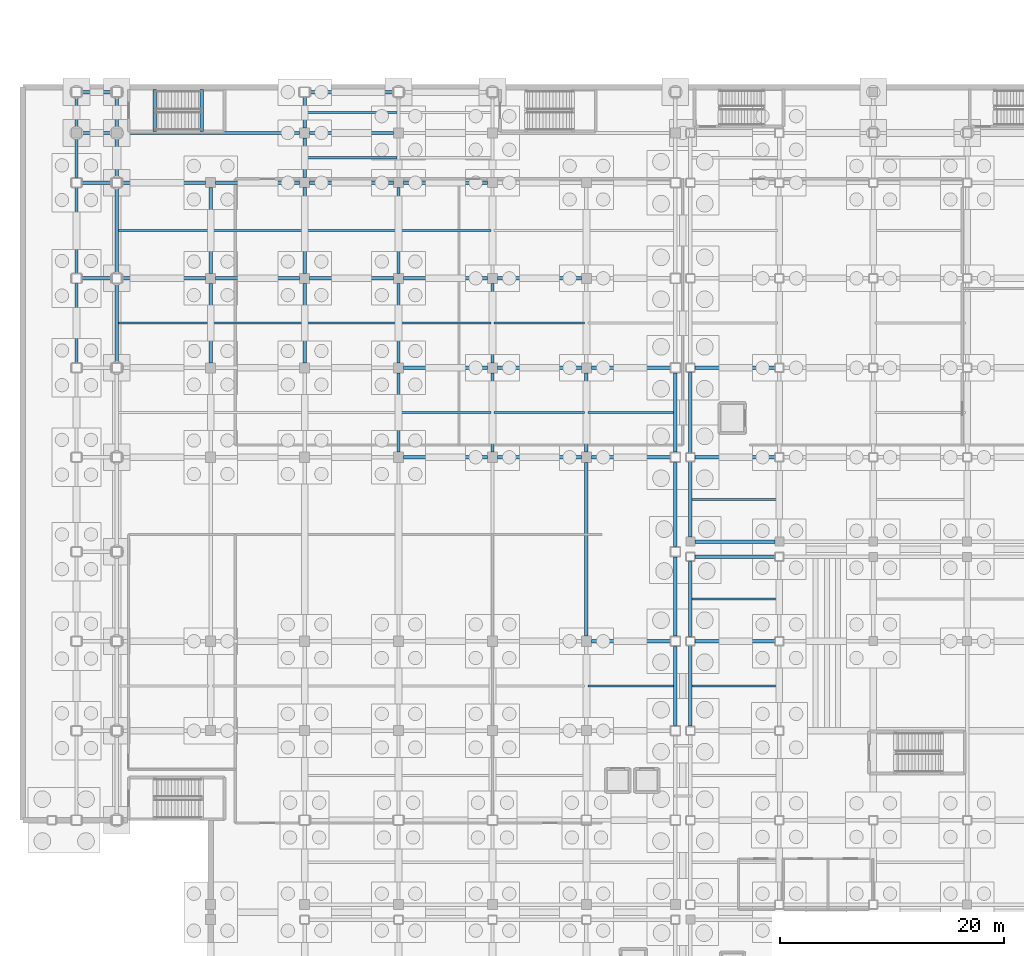
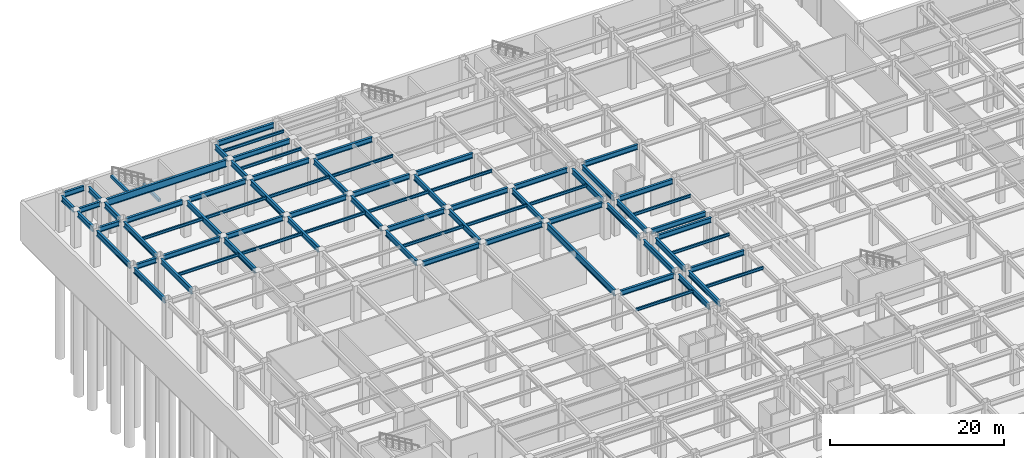
# One storey, part 25 of 55: 77 beams.
"""IFC4 building model written with IfcOpenShell, lengths in metres."""

from ifc_helpers import new_model, si_unit, direction, frame, origin, origin_2d, place, context, subcontext, project, spatial, rectangle, i_section, extrude, material, material_profile, profile_set, type_object, element, save


model = new_model("IFC4")

# Units and contexts
model_context = context("Model", 3, precision=1e-05, world=origin(), true_north=direction((0.0, 1.0)))
body_context = subcontext(model_context, "Body", "Model", "MODEL_VIEW")
ifc_project = project(units=[si_unit("LENGTHUNIT", "METRE"), si_unit("AREAUNIT", "SQUARE_METRE"), si_unit("VOLUMEUNIT", "CUBIC_METRE"), si_unit("PLANEANGLEUNIT", "RADIAN"), si_unit("MASSUNIT", "GRAM", prefix="KILO")], contexts=[model_context])

# Site, building, storey
site_placement = place(None, origin())
site = spatial("IfcSite", under=ifc_project, at=site_placement, CompositionType="ELEMENT")
building_placement = place(site_placement, origin())
building = spatial("IfcBuilding", under=site, at=building_placement, Name="Kazehara Bluff Congress Hotel", CompositionType="ELEMENT")
storey_placement = place(building_placement, frame((0.0, 0.0, -5.39990234375)))
storey = spatial("IfcBuildingStorey", under=building, at=storey_placement, Name="B1", CompositionType="ELEMENT", Elevation=-5.39990234375)

# Beams
ifc_material_1 = material(Name="Steel SN490B", Category="steel")
ifc_material_profile_1 = material_profile(ifc_material_1, i_section(OverallWidth=0.300048828125, OverallDepth=0.699951171875, WebThickness=0.012939453125, FlangeThickness=0.02392578125, FilletRadius=0.01806640625, at=origin_2d()))
ifc_profile_set_1 = profile_set([ifc_material_profile_1], Name="Steel SN490B")
beam_type_1 = type_object("IfcBeamType", Name="TP-G-04", PredefinedType="BEAM", material=ifc_profile_set_1)
beam_1_placement = place(storey_placement, frame((50.85009765625, 64.449951171875, 4.77001953125), z_axis=(1.0, 0.0, 0.0), x_axis=(0.0, 1.0, 0.0)))
element("IfcBeam", 1, at=beam_1_placement, inside=storey, type_object=beam_type_1, Name="B1 girder G-04 419", PredefinedType="BEAM", context=body_context, shape_type="SweptSolid", body=[
    extrude(i_section(OverallWidth=0.300048828125, OverallDepth=0.699951171875, WebThickness=0.012939453125, FlangeThickness=0.02392578125, FilletRadius=0.01806640625, at=origin_2d()), origin(), (0.0, 0.0, 1.0), 7.0498046875),
])
for number, where, z_axis, x_axis, name in (
    (2, (60.10009765625, 64.449951171875, 4.77001953125), (1.0, 0.0, 0.0), (0.0, 1.0, 0.0), "B1 girder G-04 420"),
    (3, (60.10009765625, 72.0, 4.77001953125), (1.0, 0.0, 0.0), (0.0, 1.0, 0.0), "B1 girder G-04 433"),
    (4, (60.10009765625, 73.35009765625, 4.77001953125), (1.0, 0.0, 0.0), (0.0, 1.0, 0.0), "B1 girder G-04 447"),
):
    element("IfcBeam", number, at=place(storey_placement, frame(where, z_axis=z_axis, x_axis=x_axis)), inside=storey, type_object=beam_type_1, Name=name, PredefinedType="BEAM", context=body_context, shape_type="SweptSolid", body=[
        extrude(i_section(OverallWidth=0.300048828125, OverallDepth=0.699951171875, WebThickness=0.012939453125, FlangeThickness=0.02392578125, FilletRadius=0.01806640625, at=origin_2d()), origin(), (0.0, 0.0, 1.0), 7.14990234375),
    ])
for number, where, z_axis, x_axis, name in (
    (5, (34.050048828125, 80.89990234375, 4.77001953125), (1.0, 0.0, 0.0), (0.0, 1.0, 0.0), "B1 girder G-04 462"),
    (6, (42.449951171875, 80.89990234375, 4.77001953125), (1.0, 0.0, 0.0), (0.0, 1.0, 0.0), "B1 girder G-04 463"),
):
    element("IfcBeam", number, at=place(storey_placement, frame(where, z_axis=z_axis, x_axis=x_axis)), inside=storey, type_object=beam_type_1, Name=name, PredefinedType="BEAM", context=body_context, shape_type="SweptSolid", body=[
        extrude(i_section(OverallWidth=0.300048828125, OverallDepth=0.699951171875, WebThickness=0.012939453125, FlangeThickness=0.02392578125, FilletRadius=0.01806640625, at=origin_2d()), origin(), (0.0, 0.0, 1.0), 7.5),
    ])
beam_2_placement = place(storey_placement, frame((50.85009765625, 80.89990234375, 4.77001953125), z_axis=(1.0, 0.0, 0.0), x_axis=(0.0, 1.0, 0.0)))
element("IfcBeam", 7, at=beam_2_placement, inside=storey, type_object=beam_type_1, Name="B1 girder G-04 464", PredefinedType="BEAM", context=body_context, shape_type="SweptSolid", body=[
    extrude(i_section(OverallWidth=0.300048828125, OverallDepth=0.699951171875, WebThickness=0.012939453125, FlangeThickness=0.02392578125, FilletRadius=0.01806640625, at=origin_2d()), origin(), (0.0, 0.0, 1.0), 7.0498046875),
])
beam_3_placement = place(storey_placement, frame((60.10009765625, 80.89990234375, 4.77001953125), z_axis=(1.0, 0.0, 0.0), x_axis=(0.0, 1.0, 0.0)))
element("IfcBeam", 8, at=beam_3_placement, inside=storey, type_object=beam_type_1, Name="B1 girder G-04 465", PredefinedType="BEAM", context=body_context, shape_type="SweptSolid", body=[
    extrude(i_section(OverallWidth=0.300048828125, OverallDepth=0.699951171875, WebThickness=0.012939453125, FlangeThickness=0.02392578125, FilletRadius=0.01806640625, at=origin_2d()), origin(), (0.0, 0.0, 1.0), 7.14990234375),
])
for number, where, z_axis, x_axis, name in (
    (9, (34.050048828125, 88.89990234375, 4.77001953125), (1.0, 0.0, 0.0), (0.0, 1.0, 0.0), "B1 girder G-04 482"),
    (10, (42.449951171875, 88.89990234375, 4.77001953125), (1.0, 0.0, 0.0), (0.0, 1.0, 0.0), "B1 girder G-04 483"),
):
    element("IfcBeam", number, at=place(storey_placement, frame(where, z_axis=z_axis, x_axis=x_axis)), inside=storey, type_object=beam_type_1, Name=name, PredefinedType="BEAM", context=body_context, shape_type="SweptSolid", body=[
        extrude(i_section(OverallWidth=0.300048828125, OverallDepth=0.699951171875, WebThickness=0.012939453125, FlangeThickness=0.02392578125, FilletRadius=0.01806640625, at=origin_2d()), origin(), (0.0, 0.0, 1.0), 7.5),
    ])
beam_4_placement = place(storey_placement, frame((50.85009765625, 88.89990234375, 4.77001953125), z_axis=(1.0, 0.0, 0.0), x_axis=(0.0, 1.0, 0.0)))
element("IfcBeam", 11, at=beam_4_placement, inside=storey, type_object=beam_type_1, Name="B1 girder G-04 484", PredefinedType="BEAM", context=body_context, shape_type="SweptSolid", body=[
    extrude(i_section(OverallWidth=0.300048828125, OverallDepth=0.699951171875, WebThickness=0.012939453125, FlangeThickness=0.02392578125, FilletRadius=0.01806640625, at=origin_2d()), origin(), (0.0, 0.0, 1.0), 7.0498046875),
])
beam_5_placement = place(storey_placement, frame((60.10009765625, 88.89990234375, 4.77001953125), z_axis=(1.0, 0.0, 0.0), x_axis=(0.0, 1.0, 0.0)))
element("IfcBeam", 12, at=beam_5_placement, inside=storey, type_object=beam_type_1, Name="B1 girder G-04 485", PredefinedType="BEAM", context=body_context, shape_type="SweptSolid", body=[
    extrude(i_section(OverallWidth=0.300048828125, OverallDepth=0.699951171875, WebThickness=0.012939453125, FlangeThickness=0.02392578125, FilletRadius=0.01806640625, at=origin_2d()), origin(), (0.0, 0.0, 1.0), 7.14990234375),
])
beam_6_placement = place(storey_placement, frame((5.25, 96.89990234375, 4.77001953125), z_axis=(1.0, 0.0, 0.0), x_axis=(0.0, 1.0, 0.0)))
element("IfcBeam", 13, at=beam_6_placement, inside=storey, type_object=beam_type_1, Name="B1 girder G-04 498", PredefinedType="BEAM", context=body_context, shape_type="SweptSolid", body=[
    extrude(i_section(OverallWidth=0.300048828125, OverallDepth=0.699951171875, WebThickness=0.012939453125, FlangeThickness=0.02392578125, FilletRadius=0.01806640625, at=origin_2d()), origin(), (0.0, 0.0, 1.0), 2.699951171875),
])
for number, where, z_axis, x_axis, name in (
    (14, (8.85009765625, 96.89990234375, 4.77001953125), (1.0, 0.0, 0.0), (0.0, 1.0, 0.0), "B1 girder G-04 499"),
    (15, (17.25, 96.89990234375, 4.77001953125), (1.0, 0.0, 0.0), (0.0, 1.0, 0.0), "B1 girder G-04 500"),
    (16, (25.64990234375, 96.89990234375, 4.77001953125), (1.0, 0.0, 0.0), (0.0, 1.0, 0.0), "B1 girder G-04 501"),
    (17, (34.050048828125, 96.89990234375, 4.77001953125), (1.0, 0.0, 0.0), (0.0, 1.0, 0.0), "B1 girder G-04 502"),
    (18, (42.449951171875, 96.89990234375, 4.77001953125), (1.0, 0.0, 0.0), (0.0, 1.0, 0.0), "B1 girder G-04 503"),
):
    element("IfcBeam", number, at=place(storey_placement, frame(where, z_axis=z_axis, x_axis=x_axis)), inside=storey, type_object=beam_type_1, Name=name, PredefinedType="BEAM", context=body_context, shape_type="SweptSolid", body=[
        extrude(i_section(OverallWidth=0.300048828125, OverallDepth=0.699951171875, WebThickness=0.012939453125, FlangeThickness=0.02392578125, FilletRadius=0.01806640625, at=origin_2d()), origin(), (0.0, 0.0, 1.0), 7.5),
    ])
beam_7_placement = place(storey_placement, frame((5.25, 105.449951171875, 4.77001953125), z_axis=(1.0, 0.0, 0.0), x_axis=(0.0, 1.0, 0.0)))
element("IfcBeam", 19, at=beam_7_placement, inside=storey, type_object=beam_type_1, Name="B1 girder G-04 511", PredefinedType="BEAM", context=body_context, shape_type="SweptSolid", body=[
    extrude(i_section(OverallWidth=0.300048828125, OverallDepth=0.699951171875, WebThickness=0.012939453125, FlangeThickness=0.02392578125, FilletRadius=0.01806640625, at=origin_2d()), origin(), (0.0, 0.0, 1.0), 2.699951171875),
])
for number, where, z_axis, x_axis, name in (
    (20, (8.85009765625, 105.449951171875, 4.77001953125), (1.0, 0.0, 0.0), (0.0, 1.0, 0.0), "B1 girder G-04 512"),
    (21, (17.25, 105.449951171875, 4.77001953125), (1.0, 0.0, 0.0), (0.0, 1.0, 0.0), "B1 girder G-04 513"),
    (22, (25.64990234375, 105.449951171875, 4.77001953125), (1.0, 0.0, 0.0), (0.0, 1.0, 0.0), "B1 girder G-04 514"),
    (23, (34.050048828125, 105.449951171875, 4.77001953125), (1.0, 0.0, 0.0), (0.0, 1.0, 0.0), "B1 girder G-04 515"),
):
    element("IfcBeam", number, at=place(storey_placement, frame(where, z_axis=z_axis, x_axis=x_axis)), inside=storey, type_object=beam_type_1, Name=name, PredefinedType="BEAM", context=body_context, shape_type="SweptSolid", body=[
        extrude(i_section(OverallWidth=0.300048828125, OverallDepth=0.699951171875, WebThickness=0.012939453125, FlangeThickness=0.02392578125, FilletRadius=0.01806640625, at=origin_2d()), origin(), (0.0, 0.0, 1.0), 7.5),
    ])
beam_8_placement = place(storey_placement, frame((5.25, 109.89990234375, 4.77001953125), z_axis=(1.0, 0.0, 0.0), x_axis=(0.0, 1.0, 0.0)))
element("IfcBeam", 24, at=beam_8_placement, inside=storey, type_object=beam_type_1, Name="B1 girder G-04 524", PredefinedType="BEAM", context=body_context, shape_type="SweptSolid", body=[
    extrude(i_section(OverallWidth=0.300048828125, OverallDepth=0.699951171875, WebThickness=0.012939453125, FlangeThickness=0.02392578125, FilletRadius=0.01806640625, at=origin_2d()), origin(), (0.0, 0.0, 1.0), 2.699951171875),
])
beam_9_placement = place(storey_placement, frame((25.64990234375, 109.89990234375, 4.77001953125), z_axis=(1.0, 0.0, 0.0), x_axis=(0.0, 1.0, 0.0)))
element("IfcBeam", 25, at=beam_9_placement, inside=storey, type_object=beam_type_1, Name="B1 girder G-04 526", PredefinedType="BEAM", context=body_context, shape_type="SweptSolid", body=[
    extrude(i_section(OverallWidth=0.300048828125, OverallDepth=0.699951171875, WebThickness=0.012939453125, FlangeThickness=0.02392578125, FilletRadius=0.01806640625, at=origin_2d()), origin(), (0.0, 0.0, 1.0), 7.5),
])
beam_10_placement = place(storey_placement, frame((5.25, 113.550048828125, 4.77001953125), z_axis=(1.0, 0.0, 0.0), x_axis=(0.0, 1.0, 0.0)))
element("IfcBeam", 26, at=beam_10_placement, inside=storey, type_object=beam_type_1, Name="B1 girder G-04 535", PredefinedType="BEAM", context=body_context, shape_type="SweptSolid", body=[
    extrude(i_section(OverallWidth=0.300048828125, OverallDepth=0.699951171875, WebThickness=0.012939453125, FlangeThickness=0.02392578125, FilletRadius=0.01806640625, at=origin_2d()), origin(), (0.0, 0.0, 1.0), 2.699951171875),
])
beam_11_placement = place(storey_placement, frame((25.64990234375, 113.550048828125, 4.77001953125), z_axis=(1.0, 0.0, 0.0), x_axis=(0.0, 1.0, 0.0)))
element("IfcBeam", 27, at=beam_11_placement, inside=storey, type_object=beam_type_1, Name="B1 girder G-04 536", PredefinedType="BEAM", context=body_context, shape_type="SweptSolid", body=[
    extrude(i_section(OverallWidth=0.300048828125, OverallDepth=0.699951171875, WebThickness=0.012939453125, FlangeThickness=0.02392578125, FilletRadius=0.01806640625, at=origin_2d()), origin(), (0.0, 0.0, 1.0), 7.5),
])
ifc_material_2 = material(Name="Steel SN490B", Category="steel")
ifc_material_profile_2 = material_profile(ifc_material_2, i_section(OverallWidth=0.300048828125, OverallDepth=0.75, WebThickness=0.012939453125, FlangeThickness=0.02392578125, FilletRadius=0.01806640625, at=origin_2d()))
ifc_profile_set_2 = profile_set([ifc_material_profile_2], Name="Steel SN490B")
beam_type_2 = type_object("IfcBeamType", Name="TP-G-05", PredefinedType="BEAM", material=ifc_profile_set_2)
beam_12_placement = place(storey_placement, frame((4.800048828125, 89.35009765625, 4.744873046875), z_axis=(0.0, 1.0, 0.0), x_axis=(-1.0, 0.0, 0.0)))
element("IfcBeam", 28, at=beam_12_placement, inside=storey, type_object=beam_type_2, Name="B1 girder G-05 10", PredefinedType="BEAM", context=body_context, shape_type="SweptSolid", body=[
    extrude(i_section(OverallWidth=0.300048828125, OverallDepth=0.75, WebThickness=0.012939453125, FlangeThickness=0.02392578125, FilletRadius=0.01806640625, at=origin_2d()), origin(), (0.0, 0.0, 1.0), 7.099853515625),
])
beam_13_placement = place(storey_placement, frame((4.800048828125, 97.35009765625, 4.744873046875), z_axis=(0.0, 1.0, 0.0), x_axis=(-1.0, 0.0, 0.0)))
element("IfcBeam", 29, at=beam_13_placement, inside=storey, type_object=beam_type_2, Name="B1 girder G-05 11", PredefinedType="BEAM", context=body_context, shape_type="SweptSolid", body=[
    extrude(i_section(OverallWidth=0.300048828125, OverallDepth=0.75, WebThickness=0.012939453125, FlangeThickness=0.02392578125, FilletRadius=0.01806640625, at=origin_2d()), origin(), (0.0, 0.0, 1.0), 7.64990234375),
])
beam_14_placement = place(storey_placement, frame((4.800048828125, 105.89990234375, 4.744873046875), z_axis=(0.0, 1.0, 0.0), x_axis=(-1.0, 0.0, 0.0)))
element("IfcBeam", 30, at=beam_14_placement, inside=storey, type_object=beam_type_2, Name="B1 girder G-05 12", PredefinedType="BEAM", context=body_context, shape_type="SweptSolid", body=[
    extrude(i_section(OverallWidth=0.300048828125, OverallDepth=0.75, WebThickness=0.012939453125, FlangeThickness=0.02392578125, FilletRadius=0.01806640625, at=origin_2d()), origin(), (0.0, 0.0, 1.0), 3.550048828125),
])
beam_15_placement = place(storey_placement, frame((4.800048828125, 110.35009765625, 4.744873046875), z_axis=(0.0, 1.0, 0.0), x_axis=(-1.0, 0.0, 0.0)))
element("IfcBeam", 31, at=beam_15_placement, inside=storey, type_object=beam_type_2, Name="B1 girder G-05 13", PredefinedType="BEAM", context=body_context, shape_type="SweptSolid", body=[
    extrude(i_section(OverallWidth=0.300048828125, OverallDepth=0.75, WebThickness=0.012939453125, FlangeThickness=0.02392578125, FilletRadius=0.01806640625, at=origin_2d()), origin(), (0.0, 0.0, 1.0), 2.75),
])
beam_16_placement = place(storey_placement, frame((8.39990234375, 89.35009765625, 4.744873046875), z_axis=(0.0, 1.0, 0.0), x_axis=(-1.0, 0.0, 0.0)))
element("IfcBeam", 32, at=beam_16_placement, inside=storey, type_object=beam_type_2, Name="B1 girder G-05 23", PredefinedType="BEAM", context=body_context, shape_type="SweptSolid", body=[
    extrude(i_section(OverallWidth=0.300048828125, OverallDepth=0.75, WebThickness=0.012939453125, FlangeThickness=0.02392578125, FilletRadius=0.01806640625, at=origin_2d()), origin(), (0.0, 0.0, 1.0), 7.099853515625),
])
beam_17_placement = place(storey_placement, frame((8.39990234375, 97.35009765625, 4.744873046875), z_axis=(0.0, 1.0, 0.0), x_axis=(-1.0, 0.0, 0.0)))
element("IfcBeam", 33, at=beam_17_placement, inside=storey, type_object=beam_type_2, Name="B1 girder G-05 24", PredefinedType="BEAM", context=body_context, shape_type="SweptSolid", body=[
    extrude(i_section(OverallWidth=0.300048828125, OverallDepth=0.75, WebThickness=0.012939453125, FlangeThickness=0.02392578125, FilletRadius=0.01806640625, at=origin_2d()), origin(), (0.0, 0.0, 1.0), 7.64990234375),
])
beam_18_placement = place(storey_placement, frame((8.39990234375, 105.89990234375, 4.744873046875), z_axis=(0.0, 1.0, 0.0), x_axis=(-1.0, 0.0, 0.0)))
element("IfcBeam", 34, at=beam_18_placement, inside=storey, type_object=beam_type_2, Name="B1 girder G-05 25", PredefinedType="BEAM", context=body_context, shape_type="SweptSolid", body=[
    extrude(i_section(OverallWidth=0.300048828125, OverallDepth=0.75, WebThickness=0.012939453125, FlangeThickness=0.02392578125, FilletRadius=0.01806640625, at=origin_2d()), origin(), (0.0, 0.0, 1.0), 3.550048828125),
])
beam_19_placement = place(storey_placement, frame((8.39990234375, 110.35009765625, 4.744873046875), z_axis=(0.0, 1.0, 0.0), x_axis=(-1.0, 0.0, 0.0)))
element("IfcBeam", 35, at=beam_19_placement, inside=storey, type_object=beam_type_2, Name="B1 girder G-05 26", PredefinedType="BEAM", context=body_context, shape_type="SweptSolid", body=[
    extrude(i_section(OverallWidth=0.300048828125, OverallDepth=0.75, WebThickness=0.012939453125, FlangeThickness=0.02392578125, FilletRadius=0.01806640625, at=origin_2d()), origin(), (0.0, 0.0, 1.0), 2.75),
])
beam_20_placement = place(storey_placement, frame((16.800048828125, 89.35009765625, 4.744873046875), z_axis=(0.0, 1.0, 0.0), x_axis=(-1.0, 0.0, 0.0)))
element("IfcBeam", 36, at=beam_20_placement, inside=storey, type_object=beam_type_2, Name="B1 girder G-05 33", PredefinedType="BEAM", context=body_context, shape_type="SweptSolid", body=[
    extrude(i_section(OverallWidth=0.300048828125, OverallDepth=0.75, WebThickness=0.012939453125, FlangeThickness=0.02392578125, FilletRadius=0.01806640625, at=origin_2d()), origin(), (0.0, 0.0, 1.0), 7.099853515625),
])
beam_21_placement = place(storey_placement, frame((16.800048828125, 97.35009765625, 4.744873046875), z_axis=(0.0, 1.0, 0.0), x_axis=(-1.0, 0.0, 0.0)))
element("IfcBeam", 37, at=beam_21_placement, inside=storey, type_object=beam_type_2, Name="B1 girder G-05 34", PredefinedType="BEAM", context=body_context, shape_type="SweptSolid", body=[
    extrude(i_section(OverallWidth=0.300048828125, OverallDepth=0.75, WebThickness=0.012939453125, FlangeThickness=0.02392578125, FilletRadius=0.01806640625, at=origin_2d()), origin(), (0.0, 0.0, 1.0), 7.64990234375),
])
beam_22_placement = place(storey_placement, frame((25.199951171875, 89.35009765625, 4.744873046875), z_axis=(0.0, 1.0, 0.0), x_axis=(-1.0, 0.0, 0.0)))
element("IfcBeam", 38, at=beam_22_placement, inside=storey, type_object=beam_type_2, Name="B1 girder G-05 45", PredefinedType="BEAM", context=body_context, shape_type="SweptSolid", body=[
    extrude(i_section(OverallWidth=0.300048828125, OverallDepth=0.75, WebThickness=0.012939453125, FlangeThickness=0.02392578125, FilletRadius=0.01806640625, at=origin_2d()), origin(), (0.0, 0.0, 1.0), 7.099853515625),
])
beam_23_placement = place(storey_placement, frame((25.199951171875, 97.35009765625, 4.744873046875), z_axis=(0.0, 1.0, 0.0), x_axis=(-1.0, 0.0, 0.0)))
element("IfcBeam", 39, at=beam_23_placement, inside=storey, type_object=beam_type_2, Name="B1 girder G-05 46", PredefinedType="BEAM", context=body_context, shape_type="SweptSolid", body=[
    extrude(i_section(OverallWidth=0.300048828125, OverallDepth=0.75, WebThickness=0.012939453125, FlangeThickness=0.02392578125, FilletRadius=0.01806640625, at=origin_2d()), origin(), (0.0, 0.0, 1.0), 7.64990234375),
])
beam_24_placement = place(storey_placement, frame((25.199951171875, 105.89990234375, 4.744873046875), z_axis=(0.0, 1.0, 0.0), x_axis=(-1.0, 0.0, 0.0)))
element("IfcBeam", 40, at=beam_24_placement, inside=storey, type_object=beam_type_2, Name="B1 girder G-05 47", PredefinedType="BEAM", context=body_context, shape_type="SweptSolid", body=[
    extrude(i_section(OverallWidth=0.300048828125, OverallDepth=0.75, WebThickness=0.012939453125, FlangeThickness=0.02392578125, FilletRadius=0.01806640625, at=origin_2d()), origin(), (0.0, 0.0, 1.0), 3.550048828125),
])
beam_25_placement = place(storey_placement, frame((25.199951171875, 110.35009765625, 4.744873046875), z_axis=(0.0, 1.0, 0.0), x_axis=(-1.0, 0.0, 0.0)))
element("IfcBeam", 41, at=beam_25_placement, inside=storey, type_object=beam_type_2, Name="B1 girder G-05 48", PredefinedType="BEAM", context=body_context, shape_type="SweptSolid", body=[
    extrude(i_section(OverallWidth=0.300048828125, OverallDepth=0.75, WebThickness=0.012939453125, FlangeThickness=0.02392578125, FilletRadius=0.01806640625, at=origin_2d()), origin(), (0.0, 0.0, 1.0), 2.75),
])
for number, where, z_axis, x_axis, name in (
    (42, (33.60009765625, 81.35009765625, 4.744873046875), (0.0, 1.0, 0.0), (-1.0, 0.0, 0.0), "B1 girder G-05 58"),
    (43, (33.60009765625, 89.35009765625, 4.744873046875), (0.0, 1.0, 0.0), (-1.0, 0.0, 0.0), "B1 girder G-05 59"),
):
    element("IfcBeam", number, at=place(storey_placement, frame(where, z_axis=z_axis, x_axis=x_axis)), inside=storey, type_object=beam_type_2, Name=name, PredefinedType="BEAM", context=body_context, shape_type="SweptSolid", body=[
        extrude(i_section(OverallWidth=0.300048828125, OverallDepth=0.75, WebThickness=0.012939453125, FlangeThickness=0.02392578125, FilletRadius=0.01806640625, at=origin_2d()), origin(), (0.0, 0.0, 1.0), 7.099853515625),
    ])
beam_26_placement = place(storey_placement, frame((33.60009765625, 97.35009765625, 4.744873046875), z_axis=(0.0, 1.0, 0.0), x_axis=(-1.0, 0.0, 0.0)))
element("IfcBeam", 44, at=beam_26_placement, inside=storey, type_object=beam_type_2, Name="B1 girder G-05 60", PredefinedType="BEAM", context=body_context, shape_type="SweptSolid", body=[
    extrude(i_section(OverallWidth=0.300048828125, OverallDepth=0.75, WebThickness=0.012939453125, FlangeThickness=0.02392578125, FilletRadius=0.01806640625, at=origin_2d()), origin(), (0.0, 0.0, 1.0), 7.64990234375),
])
for number, where, z_axis, x_axis, name in (
    (45, (42.0, 81.35009765625, 4.744873046875), (0.0, 1.0, 0.0), (-1.0, 0.0, 0.0), "B1 girder G-05 72"),
    (46, (42.0, 89.35009765625, 4.744873046875), (0.0, 1.0, 0.0), (-1.0, 0.0, 0.0), "B1 girder G-05 73"),
    (47, (50.39990234375, 81.35009765625, 4.744873046875), (0.0, 1.0, 0.0), (-1.0, 0.0, 0.0), "B1 girder G-05 85"),
):
    element("IfcBeam", number, at=place(storey_placement, frame(where, z_axis=z_axis, x_axis=x_axis)), inside=storey, type_object=beam_type_2, Name=name, PredefinedType="BEAM", context=body_context, shape_type="SweptSolid", body=[
        extrude(i_section(OverallWidth=0.300048828125, OverallDepth=0.75, WebThickness=0.012939453125, FlangeThickness=0.02392578125, FilletRadius=0.01806640625, at=origin_2d()), origin(), (0.0, 0.0, 1.0), 7.099853515625),
    ])
for number, where, z_axis, x_axis, name in (
    (48, (58.35009765625, 56.89990234375, 4.744873046875), (0.0, 1.0, 0.0), (-1.0, 0.0, 0.0), "B1 girder G-05 95"),
    (49, (58.35009765625, 64.89990234375, 4.744873046875), (0.0, 1.0, 0.0), (-1.0, 0.0, 0.0), "B1 girder G-05 96"),
):
    element("IfcBeam", number, at=place(storey_placement, frame(where, z_axis=z_axis, x_axis=x_axis)), inside=storey, type_object=beam_type_2, Name=name, PredefinedType="BEAM", context=body_context, shape_type="SweptSolid", body=[
        extrude(i_section(OverallWidth=0.300048828125, OverallDepth=0.75, WebThickness=0.012939453125, FlangeThickness=0.02392578125, FilletRadius=0.01806640625, at=origin_2d()), origin(), (0.0, 0.0, 1.0), 7.10009765625),
    ])
beam_27_placement = place(storey_placement, frame((58.35009765625, 72.89990234375, 4.744873046875), z_axis=(0.0, 1.0, 0.0), x_axis=(-1.0, 0.0, 0.0)))
element("IfcBeam", 50, at=beam_27_placement, inside=storey, type_object=beam_type_2, Name="B1 girder G-05 97", PredefinedType="BEAM", context=body_context, shape_type="SweptSolid", body=[
    extrude(i_section(OverallWidth=0.300048828125, OverallDepth=0.75, WebThickness=0.012939453125, FlangeThickness=0.02392578125, FilletRadius=0.01806640625, at=origin_2d()), origin(), (0.0, 0.0, 1.0), 7.550048828125),
])
beam_28_placement = place(storey_placement, frame((58.35009765625, 81.35009765625, 4.744873046875), z_axis=(0.0, 1.0, 0.0), x_axis=(-1.0, 0.0, 0.0)))
element("IfcBeam", 51, at=beam_28_placement, inside=storey, type_object=beam_type_2, Name="B1 girder G-05 98", PredefinedType="BEAM", context=body_context, shape_type="SweptSolid", body=[
    extrude(i_section(OverallWidth=0.300048828125, OverallDepth=0.75, WebThickness=0.012939453125, FlangeThickness=0.02392578125, FilletRadius=0.01806640625, at=origin_2d()), origin(), (0.0, 0.0, 1.0), 7.099853515625),
])
beam_29_placement = place(storey_placement, frame((59.699951171875, 56.85009765625, 4.744873046875), z_axis=(0.0, 1.0, 0.0), x_axis=(-1.0, 0.0, 0.0)))
element("IfcBeam", 52, at=beam_29_placement, inside=storey, type_object=beam_type_2, Name="B1 girder G-05 108", PredefinedType="BEAM", context=body_context, shape_type="SweptSolid", body=[
    extrude(i_section(OverallWidth=0.300048828125, OverallDepth=0.75, WebThickness=0.012939453125, FlangeThickness=0.02392578125, FilletRadius=0.01806640625, at=origin_2d()), origin(), (0.0, 0.0, 1.0), 7.199951171875),
])
for number, where, z_axis, x_axis, name in (
    (53, (59.699951171875, 64.85009765625, 4.744873046875), (0.0, 1.0, 0.0), (-1.0, 0.0, 0.0), "B1 girder G-05 109"),
    (54, (59.699951171875, 73.75, 4.744873046875), (0.0, 1.0, 0.0), (-1.0, 0.0, 0.0), "B1 girder G-05 110"),
):
    element("IfcBeam", number, at=place(storey_placement, frame(where, z_axis=z_axis, x_axis=x_axis)), inside=storey, type_object=beam_type_2, Name=name, PredefinedType="BEAM", context=body_context, shape_type="SweptSolid", body=[
        extrude(i_section(OverallWidth=0.300048828125, OverallDepth=0.75, WebThickness=0.012939453125, FlangeThickness=0.02392578125, FilletRadius=0.01806640625, at=origin_2d()), origin(), (0.0, 0.0, 1.0), 6.75),
    ])
beam_30_placement = place(storey_placement, frame((59.699951171875, 81.300048828125, 4.744873046875), z_axis=(0.0, 1.0, 0.0), x_axis=(-1.0, 0.0, 0.0)))
element("IfcBeam", 55, at=beam_30_placement, inside=storey, type_object=beam_type_2, Name="B1 girder G-05 111", PredefinedType="BEAM", context=body_context, shape_type="SweptSolid", body=[
    extrude(i_section(OverallWidth=0.300048828125, OverallDepth=0.75, WebThickness=0.012939453125, FlangeThickness=0.02392578125, FilletRadius=0.01806640625, at=origin_2d()), origin(), (0.0, 0.0, 1.0), 7.199951171875),
])
ifc_material_3 = material(Name="Steel SN490B", Category="steel")
ifc_material_profile_3 = material_profile(ifc_material_3, i_section(OverallWidth=0.300048828125, OverallDepth=0.89990234375, WebThickness=0.01611328125, FlangeThickness=0.028076171875, FilletRadius=0.01806640625, at=origin_2d()))
ifc_profile_set_3 = profile_set([ifc_material_profile_3], Name="Steel SN490B")
beam_type_3 = type_object("IfcBeamType", Name="TP-G-08", PredefinedType="BEAM", material=ifc_profile_set_3)
beam_31_placement = place(storey_placement, frame((50.39990234375, 64.89990234375, 4.669921875), z_axis=(0.0, 1.0, 0.0), x_axis=(-1.0, 0.0, 0.0)))
element("IfcBeam", 56, at=beam_31_placement, inside=storey, type_object=beam_type_3, Name="B1 girder G-08 84", PredefinedType="BEAM", context=body_context, shape_type="SweptSolid", body=[
    extrude(i_section(OverallWidth=0.300048828125, OverallDepth=0.89990234375, WebThickness=0.01611328125, FlangeThickness=0.028076171875, FilletRadius=0.01806640625, at=origin_2d()), origin(), (0.0, 0.0, 1.0), 15.550048828125),
])
ifc_material_4 = material(Name="Steel SN490B", Category="steel")
ifc_material_profile_4 = material_profile(ifc_material_4, i_section(OverallWidth=0.300048828125, OverallDepth=1.0, WebThickness=0.01611328125, FlangeThickness=0.028076171875, FilletRadius=0.02197265625, at=origin_2d()))
ifc_profile_set_4 = profile_set([ifc_material_profile_4], Name="Steel SN490B")
beam_type_4 = type_object("IfcBeamType", Name="TP-G-09", PredefinedType="BEAM", material=ifc_profile_set_4)
beam_32_placement = place(storey_placement, frame((8.85009765625, 109.89990234375, 4.619873046875), z_axis=(1.0, 0.0, 0.0), x_axis=(0.0, 1.0, 0.0)))
element("IfcBeam", 57, at=beam_32_placement, inside=storey, type_object=beam_type_4, Name="B1 girder G-09 525", PredefinedType="BEAM", context=body_context, shape_type="SweptSolid", body=[
    extrude(i_section(OverallWidth=0.300048828125, OverallDepth=1.0, WebThickness=0.01611328125, FlangeThickness=0.028076171875, FilletRadius=0.02197265625, at=origin_2d()), origin(), (0.0, 0.0, 1.0), 15.89990234375),
])
ifc_material_5 = material(Name="Steel SN400B", Category="steel")
ifc_material_profile_5 = material_profile(ifc_material_5, i_section(OverallWidth=0.199951171875, OverallDepth=0.39990234375, WebThickness=0.008056640625, FlangeThickness=0.012939453125, FilletRadius=0.012939453125, at=origin_2d()))
ifc_profile_set_5 = profile_set([ifc_material_profile_5], Name="Steel SN400B")
beam_type_5 = type_object("IfcBeamType", Name="TP-J-03", PredefinedType="JOIST", material=ifc_profile_set_5)
for number, where, z_axis, x_axis, name in (
    (58, (8.550048828125, 92.89990234375, 4.919921875), (1.0, 0.0, 0.0), (0.0, 1.0, 0.0), "B1 secondary joist J-03 6"),
    (59, (8.550048828125, 101.175048828125, 4.919921875), (1.0, 0.0, 0.0), (0.0, 1.0, 0.0), "B1 secondary joist J-03 7"),
):
    element("IfcBeam", number, at=place(storey_placement, frame(where, z_axis=z_axis, x_axis=x_axis)), inside=storey, type_object=beam_type_5, Name=name, PredefinedType="JOIST", context=body_context, shape_type="SweptSolid", body=[
        extrude(i_section(OverallWidth=0.199951171875, OverallDepth=0.39990234375, WebThickness=0.008056640625, FlangeThickness=0.012939453125, FilletRadius=0.012939453125, at=origin_2d()), origin(), (0.0, 0.0, 1.0), 8.099853515625),
    ])
for number, where, z_axis, x_axis, name in (
    (60, (16.949951171875, 92.89990234375, 4.919921875), (1.0, 0.0, 0.0), (0.0, 1.0, 0.0), "B1 secondary joist J-03 13"),
    (61, (16.949951171875, 101.175048828125, 4.919921875), (1.0, 0.0, 0.0), (0.0, 1.0, 0.0), "B1 secondary joist J-03 14"),
):
    element("IfcBeam", number, at=place(storey_placement, frame(where, z_axis=z_axis, x_axis=x_axis)), inside=storey, type_object=beam_type_5, Name=name, PredefinedType="JOIST", context=body_context, shape_type="SweptSolid", body=[
        extrude(i_section(OverallWidth=0.199951171875, OverallDepth=0.39990234375, WebThickness=0.008056640625, FlangeThickness=0.012939453125, FilletRadius=0.012939453125, at=origin_2d()), origin(), (0.0, 0.0, 1.0), 8.10009765625),
    ])
for number, where, z_axis, x_axis, name in (
    (62, (25.35009765625, 92.89990234375, 4.919921875), (1.0, 0.0, 0.0), (0.0, 1.0, 0.0), "B1 secondary joist J-03 24"),
    (63, (25.35009765625, 101.175048828125, 4.919921875), (1.0, 0.0, 0.0), (0.0, 1.0, 0.0), "B1 secondary joist J-03 25"),
    (64, (25.35009765625, 107.675048828125, 4.919921875), (1.0, 0.0, 0.0), (0.0, 1.0, 0.0), "B1 secondary joist J-03 26"),
    (65, (25.35009765625, 111.72509765625, 4.919921875), (1.0, 0.0, 0.0), (0.0, 1.0, 0.0), "B1 secondary joist J-03 27"),
):
    element("IfcBeam", number, at=place(storey_placement, frame(where, z_axis=z_axis, x_axis=x_axis)), inside=storey, type_object=beam_type_5, Name=name, PredefinedType="JOIST", context=body_context, shape_type="SweptSolid", body=[
        extrude(i_section(OverallWidth=0.199951171875, OverallDepth=0.39990234375, WebThickness=0.008056640625, FlangeThickness=0.012939453125, FilletRadius=0.012939453125, at=origin_2d()), origin(), (0.0, 0.0, 1.0), 8.099853515625),
    ])
for number, where, z_axis, x_axis, name in (
    (66, (33.75, 84.89990234375, 4.919921875), (1.0, 0.0, 0.0), (0.0, 1.0, 0.0), "B1 secondary joist J-03 36"),
    (67, (33.75, 92.89990234375, 4.919921875), (1.0, 0.0, 0.0), (0.0, 1.0, 0.0), "B1 secondary joist J-03 37"),
    (68, (33.75, 101.175048828125, 4.919921875), (1.0, 0.0, 0.0), (0.0, 1.0, 0.0), "B1 secondary joist J-03 38"),
    (69, (42.14990234375, 84.89990234375, 4.919921875), (1.0, 0.0, 0.0), (0.0, 1.0, 0.0), "B1 secondary joist J-03 48"),
    (70, (42.14990234375, 92.89990234375, 4.919921875), (1.0, 0.0, 0.0), (0.0, 1.0, 0.0), "B1 secondary joist J-03 49"),
):
    element("IfcBeam", number, at=place(storey_placement, frame(where, z_axis=z_axis, x_axis=x_axis)), inside=storey, type_object=beam_type_5, Name=name, PredefinedType="JOIST", context=body_context, shape_type="SweptSolid", body=[
        extrude(i_section(OverallWidth=0.199951171875, OverallDepth=0.39990234375, WebThickness=0.008056640625, FlangeThickness=0.012939453125, FilletRadius=0.012939453125, at=origin_2d()), origin(), (0.0, 0.0, 1.0), 8.10009765625),
    ])
for number, where, z_axis, x_axis, name in (
    (71, (50.550048828125, 60.449951171875, 4.919921875), (1.0, 0.0, 0.0), (0.0, 1.0, 0.0), "B1 secondary joist J-03 55"),
    (72, (50.550048828125, 84.89990234375, 4.919921875), (1.0, 0.0, 0.0), (0.0, 1.0, 0.0), "B1 secondary joist J-03 56"),
    (73, (59.85009765625, 60.449951171875, 4.919921875), (1.0, 0.0, 0.0), (0.0, 1.0, 0.0), "B1 secondary joist J-03 63"),
    (74, (59.85009765625, 68.22509765625, 4.919921875), (1.0, 0.0, 0.0), (0.0, 1.0, 0.0), "B1 secondary joist J-03 64"),
    (75, (59.85009765625, 77.125, 4.919921875), (1.0, 0.0, 0.0), (0.0, 1.0, 0.0), "B1 secondary joist J-03 65"),
):
    element("IfcBeam", number, at=place(storey_placement, frame(where, z_axis=z_axis, x_axis=x_axis)), inside=storey, type_object=beam_type_5, Name=name, PredefinedType="JOIST", context=body_context, shape_type="SweptSolid", body=[
        extrude(i_section(OverallWidth=0.199951171875, OverallDepth=0.39990234375, WebThickness=0.008056640625, FlangeThickness=0.012939453125, FilletRadius=0.012939453125, at=origin_2d()), origin(), (0.0, 0.0, 1.0), 7.64990234375),
    ])
ifc_material_6 = material(Name="Concrete C40/50", Category="concrete")
ifc_material_profile_6 = material_profile(ifc_material_6, rectangle(XDim=0.300048828125, YDim=0.39990234375, at=origin_2d()))
ifc_profile_set_6 = profile_set([ifc_material_profile_6], Name="Concrete C40/50")
beam_type_6 = type_object("IfcBeamType", Name="TP-LN-02", PredefinedType="LINTEL", material=ifc_profile_set_6)
for number, where, z_axis, x_axis, name in (
    (76, (16.0, 110.02490234375, 2.31982421875), (0.0, 1.0, 0.0), (-1.0, 0.0, 0.0), "B1 ST-01 half-landing support beam 1"),
    (77, (11.800048828125, 110.02490234375, 4.93994140625), (0.0, 1.0, 0.0), (-1.0, 0.0, 0.0), "L00 ST-01 stairwell trimmer beam"),
):
    element("IfcBeam", number, at=place(storey_placement, frame(where, z_axis=z_axis, x_axis=x_axis)), inside=storey, type_object=beam_type_6, Name=name, PredefinedType="LINTEL", context=body_context, shape_type="SweptSolid", body=[
        extrude(rectangle(XDim=0.300048828125, YDim=0.39990234375, at=origin_2d()), origin(), (0.0, 0.0, 1.0), 3.75),
    ])

save(model, "model.ifc")
